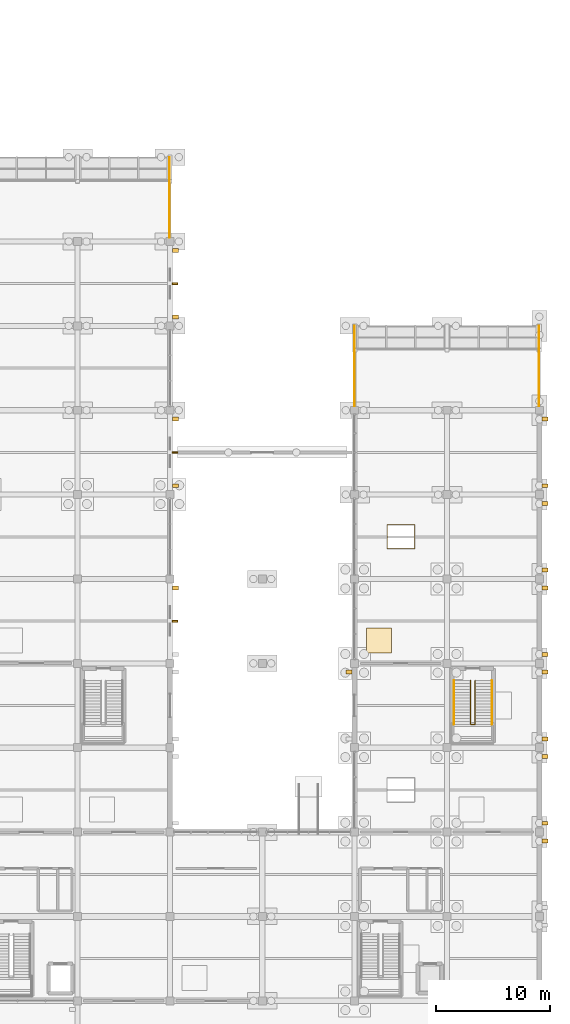
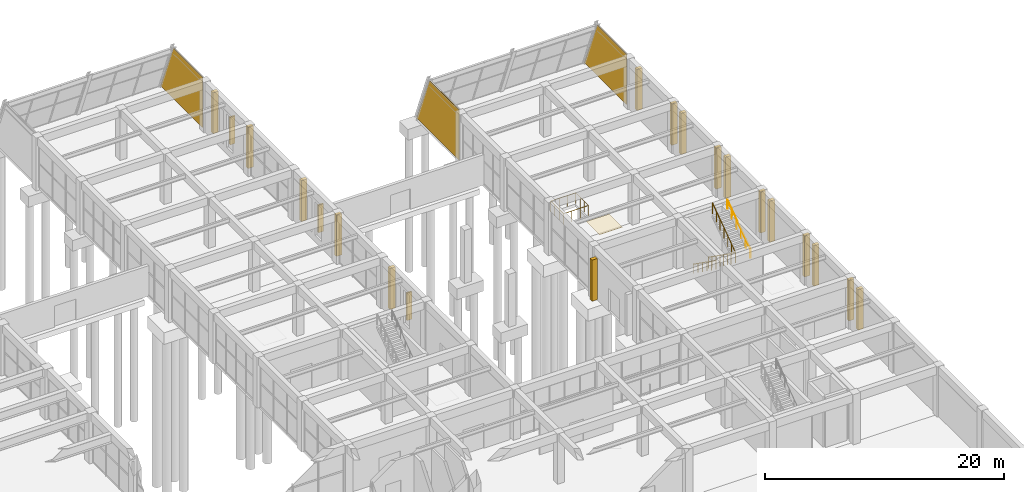
# One storey, part 139 of 140: 20 shading devices, 4 coverings, 4 railings.
"""IFC4 building model written with IfcOpenShell, lengths in metres."""

from ifc_helpers import new_model, si_unit, direction, frame, origin, origin_2d, place, context, subcontext, project, spatial, polyline, rectangle, circle, outline, extrude, material, layer, layer_set, type_object, element, save


model = new_model("IFC4")

# Units and contexts
model_context = context("Model", 3, precision=1e-05, world=origin(), true_north=direction((0.0, 1.0)))
body_context = subcontext(model_context, "Body", "Model", "MODEL_VIEW")
ifc_project = project(units=[si_unit("LENGTHUNIT", "METRE"), si_unit("AREAUNIT", "SQUARE_METRE"), si_unit("VOLUMEUNIT", "CUBIC_METRE"), si_unit("PLANEANGLEUNIT", "RADIAN"), si_unit("MASSUNIT", "GRAM", prefix="KILO")], contexts=[model_context])

# Site, building, storey
site_placement = place(None, origin())
site = spatial("IfcSite", under=ifc_project, at=site_placement, CompositionType="ELEMENT")
building_placement = place(site_placement, origin())
building = spatial("IfcBuilding", under=site, at=building_placement, Name="Cimatlan Art Gallery", CompositionType="ELEMENT")
storey_placement = place(building_placement, origin())
storey = spatial("IfcBuildingStorey", under=building, at=storey_placement, Name="L00", CompositionType="ELEMENT", Elevation=0.0)

# Coverings
ifc_material_1 = material(Name="Micro-perforated acoustic gypsum ceiling")
ifc_layer_1 = layer(ifc_material_1, 0.030029296875)
ifc_layer_set_1 = layer_set([ifc_layer_1], Name="Micro-perforated acoustic gypsum ceiling")
covering_type_1 = type_object("IfcCoveringType", Name="COV-CEIL-ACOUSTIC-30", PredefinedType="CEILING", material=ifc_layer_set_1)
covering_1_placement = place(storey_placement, frame((149.949951171875, 55.5, 5.10498046875), z_axis=(0.0, 0.0, 1.0), x_axis=(1.0, 0.0, 0.0)))
element("IfcCovering", 1, at=covering_1_placement, inside=storey, type_object=covering_type_1, Name="CLG-L00-STD-02", PredefinedType="CEILING", context=body_context, shape_type="SweptSolid", body=[
    extrude(rectangle(XDim=2.199951171875, YDim=2.199951171875, at=origin_2d()), origin(), (0.0, 0.0, 1.0), 0.030029296875),
])
ifc_material_2 = material(Name="Queretaro cantera limestone ashlar hood-mould", Category="masonry")
ifc_layer_2 = layer(ifc_material_2, 0.0419921875)
ifc_layer_set_2 = layer_set([ifc_layer_2], Name="Queretaro cantera limestone ashlar hood-mould")
covering_type_2 = type_object("IfcCoveringType", Name="COV-CLAD-CANTERA-42", PredefinedType="CLADDING", material=ifc_layer_set_2)
covering_2_placement = place(storey_placement, frame((131.60009765625, 90.85009765625, 0.0), z_axis=(1.0, 0.0, 0.0), x_axis=(0.0, 1.0, 0.0)))
element("IfcCovering", 2, at=covering_2_placement, inside=storey, type_object=covering_type_2, Name="CLD-PRW-L00-B4-E", PredefinedType="CLADDING", context=body_context, shape_type="SweptSolid", body=[
    extrude(outline(polyline([(0.0, 0.0), (7.0498046875, 0.0), (4.9228515625, 5.135009765625), (0.0, 5.135009765625), (0.0, 0.0)])), origin(), (0.0, 0.0, -1.0), 0.0419921875),
])
for number, where, z_axis, x_axis, name in (
    (3, (147.800048828125, 76.050048828125, 0.0), (1.0, 0.0, 0.0), (0.0, 1.0, 0.0), "CLD-PRW-L00-B5-W"),
    (4, (164.0, 76.050048828125, 0.0), (1.0, 0.0, 0.0), (0.0, 1.0, 0.0), "CLD-PRW-L00-B5-E"),
):
    element("IfcCovering", number, at=place(storey_placement, frame(where, z_axis=z_axis, x_axis=x_axis)), inside=storey, type_object=covering_type_2, Name=name, PredefinedType="CLADDING", context=body_context, shape_type="SweptSolid", body=[
        extrude(outline(polyline([(0.0, 0.0), (7.050048828125, 0.0), (4.9228515625, 5.135009765625), (0.0, 5.135009765625), (0.0, 0.0)])), origin(), (0.0, 0.0, -1.0), 0.0419921875),
    ])

# Railings
ifc_material_3 = material(Name="Painted steel and bronze interior balustrade", Category="steel")
railing_type_1 = type_object("IfcRailingType", Name="RL-BAL-INT-1120", PredefinedType="BALUSTRADE", material=ifc_material_3)
railing_1_placement = place(storey_placement, frame((157.969970703125, 51.97998046875, 0.0)))
element("IfcRailing", 5, at=railing_1_placement, inside=storey, type_object=railing_type_1, Name="STR-C10-L00-GRD", PredefinedType="BALUSTRADE", context=body_context, shape_type="SweptSolid", body=[
    extrude(circle(Radius=0.02392578125, at=origin_2d()), frame((0.0, 0.0, 1.09619140625), z_axis=(0.0, -0.816969308413, 0.5766811503), x_axis=(1.0, 0.0, 0.0)), (0.0, 0.0, 1.0), 4.681884765625),
    extrude(circle(Radius=0.02392578125, at=origin_2d()), frame((0.0, -3.824951171875, 3.7958984375), z_axis=(1.0, 0.0, 0.0), x_axis=(0.0, 1.0, 0.0)), (0.0, 0.0, 1.0), 0.400146484375),
    extrude(circle(Radius=0.02392578125, at=origin_2d()), frame((0.400146484375, -3.824951171875, 3.7958984375), z_axis=(0.0, 0.816969308413, 0.5766811503), x_axis=(-1.0, 0.0, 0.0)), (0.0, 0.0, 1.0), 4.681884765625),
    extrude(circle(Radius=0.02001953125, at=origin_2d()), origin(), (0.0, 0.0, 1.0), 1.072021484375),
    extrude(circle(Radius=0.02001953125, at=origin_2d()), frame((0.0, -0.637451171875, 0.449951171875)), (0.0, 0.0, 1.0), 1.072021484375),
    extrude(circle(Radius=0.02001953125, at=origin_2d()), frame((0.0, -1.27490234375, 0.89990234375)), (0.0, 0.0, 1.0), 1.072021484375),
    extrude(circle(Radius=0.02001953125, at=origin_2d()), frame((0.0, -1.91259765625, 1.35009765625)), (0.0, 0.0, 1.0), 1.072021484375),
    extrude(circle(Radius=0.02001953125, at=origin_2d()), frame((0.0, -2.550048828125, 1.800048828125)), (0.0, 0.0, 1.0), 1.072021484375),
    extrude(circle(Radius=0.02001953125, at=origin_2d()), frame((0.0, -3.1875, 2.25)), (0.0, 0.0, 1.0), 1.072021484375),
    extrude(circle(Radius=0.02001953125, at=origin_2d()), frame((0.0, -3.824951171875, 2.699951171875)), (0.0, 0.0, 1.0), 1.072021484375),
    extrude(circle(Radius=0.02001953125, at=origin_2d()), frame((0.400146484375, -3.824951171875, 2.699951171875)), (0.0, 0.0, 1.0), 1.072021484375),
    extrude(circle(Radius=0.02001953125, at=origin_2d()), frame((0.400146484375, -3.1875, 3.14990234375)), (0.0, 0.0, 1.0), 1.072021484375),
    extrude(circle(Radius=0.02001953125, at=origin_2d()), frame((0.400146484375, -2.550048828125, 3.599853515625)), (0.0, 0.0, 1.0), 1.072021484375),
    extrude(circle(Radius=0.02001953125, at=origin_2d()), frame((0.400146484375, -1.91259765625, 4.0498046875)), (0.0, 0.0, 1.0), 1.072021484375),
    extrude(circle(Radius=0.02001953125, at=origin_2d()), frame((0.400146484375, -1.27490234375, 4.5)), (0.0, 0.0, 1.0), 1.072021484375),
    extrude(circle(Radius=0.02001953125, at=origin_2d()), frame((0.400146484375, -0.637451171875, 4.949951171875)), (0.0, 0.0, 1.0), 1.072021484375),
    extrude(circle(Radius=0.02001953125, at=origin_2d()), frame((0.400146484375, 0.0, 5.39990234375)), (0.0, 0.0, 1.0), 1.072021484375),
])
railing_2_placement = place(storey_placement, frame((150.639892578125, 63.5400390625, 0.0)))
element("IfcRailing", 6, at=railing_2_placement, inside=storey, type_object=railing_type_1, Name="GR-OCU-L00-B5N", PredefinedType="BALUSTRADE", context=body_context, shape_type="SweptSolid", body=[
    extrude(circle(Radius=0.02392578125, at=origin_2d()), frame((0.0, 0.0, 1.09619140625), z_axis=(1.0, 0.0, 0.0), x_axis=(0.0, 1.0, 0.0)), (0.0, 0.0, 1.0), 2.420166015625),
    extrude(circle(Radius=0.02392578125, at=origin_2d()), frame((2.420166015625, 0.0, 1.09619140625), z_axis=(0.0, 1.0, 0.0), x_axis=(-1.0, 0.0, 0.0)), (0.0, 0.0, 1.0), 2.119873046875),
    extrude(circle(Radius=0.02392578125, at=origin_2d()), frame((2.420166015625, 2.119873046875, 1.09619140625), z_axis=(-1.0, 0.0, 0.0), x_axis=(0.0, -1.0, 0.0)), (0.0, 0.0, 1.0), 2.420166015625),
    extrude(circle(Radius=0.02392578125, at=origin_2d()), frame((0.0, 2.119873046875, 1.09619140625), z_axis=(0.0, -1.0, 0.0), x_axis=(1.0, 0.0, 0.0)), (0.0, 0.0, 1.0), 2.079833984375),
    extrude(circle(Radius=0.02001953125, at=origin_2d()), origin(), (0.0, 0.0, 1.0), 1.072021484375),
    extrude(circle(Radius=0.02001953125, at=origin_2d()), frame((0.806640625, 0.0, 0.0)), (0.0, 0.0, 1.0), 1.072021484375),
    extrude(circle(Radius=0.02001953125, at=origin_2d()), frame((1.613525390625, 0.0, 0.0)), (0.0, 0.0, 1.0), 1.072021484375),
    extrude(circle(Radius=0.02001953125, at=origin_2d()), frame((2.420166015625, 0.0, 0.0)), (0.0, 0.0, 1.0), 1.072021484375),
    extrude(circle(Radius=0.02001953125, at=origin_2d()), frame((2.420166015625, 0.70654296875, 0.0)), (0.0, 0.0, 1.0), 1.072021484375),
    extrude(circle(Radius=0.02001953125, at=origin_2d()), frame((2.420166015625, 1.413330078125, 0.0)), (0.0, 0.0, 1.0), 1.072021484375),
    extrude(circle(Radius=0.02001953125, at=origin_2d()), frame((2.420166015625, 2.119873046875, 0.0)), (0.0, 0.0, 1.0), 1.072021484375),
    extrude(circle(Radius=0.02001953125, at=origin_2d()), frame((1.613525390625, 2.119873046875, 0.0)), (0.0, 0.0, 1.0), 1.072021484375),
    extrude(circle(Radius=0.02001953125, at=origin_2d()), frame((0.806640625, 2.119873046875, 0.0)), (0.0, 0.0, 1.0), 1.072021484375),
    extrude(circle(Radius=0.02001953125, at=origin_2d()), frame((0.0, 2.119873046875, 0.0)), (0.0, 0.0, 1.0), 1.072021484375),
    extrude(circle(Radius=0.02001953125, at=origin_2d()), frame((0.0, 1.426513671875, 0.0)), (0.0, 0.0, 1.0), 1.072021484375),
    extrude(circle(Radius=0.02001953125, at=origin_2d()), frame((0.0, 0.7333984375, 0.0)), (0.0, 0.0, 1.0), 1.072021484375),
    extrude(circle(Radius=0.02001953125, at=origin_2d()), frame((0.0, 0.0400390625, 0.0)), (0.0, 0.0, 1.0), 1.072021484375),
])
ifc_material_4 = material(Name="Brushed bronze stair handrail")
railing_type_2 = type_object("IfcRailingType", Name="RL-HND-INT-920", PredefinedType="HANDRAIL", material=ifc_material_4)
railing_3_placement = place(storey_placement, frame((156.510009765625, 51.97998046875, 0.0)))
element("IfcRailing", 7, at=railing_3_placement, inside=storey, type_object=railing_type_2, Name="STR-C10-L00-HR1", PredefinedType="HANDRAIL", context=body_context, shape_type="SweptSolid", body=[
    extrude(circle(Radius=0.02197265625, at=origin_2d()), frame((0.0, 0.0, 0.89794921875), z_axis=(0.0, -0.816969308413, 0.5766811503), x_axis=(1.0, 0.0, 0.0)), (0.0, 0.0, 1.0), 4.681884765625),
    extrude(circle(Radius=0.01904296875, at=origin_2d()), origin(), (0.0, 0.0, 1.0), 0.8759765625),
    extrude(circle(Radius=0.01904296875, at=origin_2d()), frame((0.0, -0.764892578125, 0.5400390625)), (0.0, 0.0, 1.0), 0.8759765625),
    extrude(circle(Radius=0.01904296875, at=origin_2d()), frame((0.0, -1.530029296875, 1.080078125)), (0.0, 0.0, 1.0), 0.8759765625),
    extrude(circle(Radius=0.01904296875, at=origin_2d()), frame((0.0, -2.294921875, 1.619873046875)), (0.0, 0.0, 1.0), 0.8759765625),
    extrude(circle(Radius=0.01904296875, at=origin_2d()), frame((0.0, -3.06005859375, 2.159912109375)), (0.0, 0.0, 1.0), 0.8759765625),
    extrude(circle(Radius=0.01904296875, at=origin_2d()), frame((0.0, -3.824951171875, 2.699951171875)), (0.0, 0.0, 1.0), 0.8759765625),
])
railing_4_placement = place(storey_placement, frame((159.830078125, 48.155029296875, 2.699951171875)))
element("IfcRailing", 8, at=railing_4_placement, inside=storey, type_object=railing_type_2, Name="STR-C10-L00-HR2", PredefinedType="HANDRAIL", context=body_context, shape_type="SweptSolid", body=[
    extrude(circle(Radius=0.02197265625, at=origin_2d()), frame((0.0, 0.0, 0.89794921875), z_axis=(0.0, 0.816969308413, 0.5766811503), x_axis=(-1.0, 0.0, 0.0)), (0.0, 0.0, 1.0), 4.681884765625),
    extrude(circle(Radius=0.01904296875, at=origin_2d()), origin(), (0.0, 0.0, 1.0), 0.8759765625),
    extrude(circle(Radius=0.01904296875, at=origin_2d()), frame((0.0, 0.764892578125, 0.5400390625)), (0.0, 0.0, 1.0), 0.8759765625),
    extrude(circle(Radius=0.01904296875, at=origin_2d()), frame((0.0, 1.530029296875, 1.080078125)), (0.0, 0.0, 1.0), 0.8759765625),
    extrude(circle(Radius=0.01904296875, at=origin_2d()), frame((0.0, 2.294921875, 1.619873046875)), (0.0, 0.0, 1.0), 0.8759765625),
    extrude(circle(Radius=0.01904296875, at=origin_2d()), frame((0.0, 3.06005859375, 2.159912109375)), (0.0, 0.0, 1.0), 0.8759765625),
    extrude(circle(Radius=0.01904296875, at=origin_2d()), frame((0.0, 3.824951171875, 2.699951171875)), (0.0, 0.0, 1.0), 0.8759765625),
])

# Shading devices
ifc_material_5 = material(Name="Queretaro cantera limestone buttress pilaster", Category="masonry")
shading_device_type_1 = type_object("IfcShadingDeviceType", Name="SHD-BUT-520", PredefinedType="USERDEFINED", material=ifc_material_5)
for number, where, z_axis, x_axis, name in (
    (9, (132.077880859375, 60.1259765625, 0.06005859375), (0.0, 0.0, 1.0), (0.0, -1.0, 0.0), "BUT-0085"),
    (10, (132.077880859375, 74.926025390625, 0.06005859375), (0.0, 0.0, 1.0), (0.0, -1.0, 0.0), "BUT-0087"),
    (11, (132.077880859375, 69.073974609375, 0.06005859375), (0.0, 0.0, 1.0), (0.0, -1.0, 0.0), "BUT-0088"),
    (12, (132.077880859375, 89.72607421875, 0.06005859375), (0.0, 0.0, 1.0), (0.0, -1.0, 0.0), "BUT-0089"),
    (13, (132.077880859375, 83.8740234375, 0.06005859375), (0.0, 0.0, 1.0), (0.0, -1.0, 0.0), "BUT-0090"),
    (14, (147.322021484375, 52.72607421875, 0.06005859375), (0.0, 0.0, 1.0), (0.0, 1.0, 0.0), "BUT-0098"),
):
    element("IfcShadingDevice", number, at=place(storey_placement, frame(where, z_axis=z_axis, x_axis=x_axis)), inside=storey, type_object=shading_device_type_1, Name=name, ObjectType="FIN", PredefinedType="USERDEFINED", context=body_context, shape_type="SweptSolid", body=[
        extrude(rectangle(XDim=0.340087890625, YDim=0.52001953125, at=origin_2d()), origin(), (0.0, 0.0, 1.0), 4.199951171875),
    ])
for number, where, z_axis, x_axis, name in (
    (15, (164.47802734375, 37.926025390625, 0.06005859375), (0.0, 0.0, 1.0), (0.0, -1.0, 0.0), "BUT-0109"),
    (16, (164.47802734375, 45.325927734375, 0.06005859375), (0.0, 0.0, 1.0), (0.0, -1.0, 0.0), "BUT-0111"),
    (17, (164.47802734375, 39.47412109375, 0.06005859375), (0.0, 0.0, 1.0), (0.0, -1.0, 0.0), "BUT-0112"),
):
    element("IfcShadingDevice", number, at=place(storey_placement, frame(where, z_axis=z_axis, x_axis=x_axis)), inside=storey, type_object=shading_device_type_1, Name=name, ObjectType="FIN", PredefinedType="USERDEFINED", context=body_context, shape_type="SweptSolid", body=[
        extrude(rectangle(XDim=0.340087890625, YDim=0.52001953125, at=origin_2d()), origin(), (0.0, 0.0, 1.0), 4.14990234375),
    ])
for number, where, z_axis, x_axis, name in (
    (18, (164.47802734375, 52.72607421875, 0.06005859375), (0.0, 0.0, 1.0), (0.0, -1.0, 0.0), "BUT-0113"),
    (19, (164.47802734375, 46.8740234375, 0.06005859375), (0.0, 0.0, 1.0), (0.0, -1.0, 0.0), "BUT-0114"),
    (20, (164.47802734375, 60.1259765625, 0.06005859375), (0.0, 0.0, 1.0), (0.0, -1.0, 0.0), "BUT-0115"),
    (21, (164.47802734375, 54.27392578125, 0.06005859375), (0.0, 0.0, 1.0), (0.0, -1.0, 0.0), "BUT-0116"),
    (22, (164.47802734375, 67.52587890625, 0.06005859375), (0.0, 0.0, 1.0), (0.0, -1.0, 0.0), "BUT-0117"),
    (23, (164.47802734375, 61.674072265625, 0.06005859375), (0.0, 0.0, 1.0), (0.0, -1.0, 0.0), "BUT-0118"),
    (24, (164.47802734375, 74.926025390625, 0.06005859375), (0.0, 0.0, 1.0), (0.0, -1.0, 0.0), "BUT-0119"),
    (25, (164.47802734375, 69.073974609375, 0.06005859375), (0.0, 0.0, 1.0), (0.0, -1.0, 0.0), "BUT-0120"),
):
    element("IfcShadingDevice", number, at=place(storey_placement, frame(where, z_axis=z_axis, x_axis=x_axis)), inside=storey, type_object=shading_device_type_1, Name=name, ObjectType="FIN", PredefinedType="USERDEFINED", context=body_context, shape_type="SweptSolid", body=[
        extrude(rectangle(XDim=0.340087890625, YDim=0.52001953125, at=origin_2d()), origin(), (0.0, 0.0, 1.0), 4.199951171875),
    ])
ifc_material_6 = material(Name="Queretaro cantera limestone lancet mullion fin", Category="masonry")
shading_device_type_2 = type_object("IfcShadingDeviceType", Name="SHD-FIN-480", PredefinedType="USERDEFINED", material=ifc_material_6)
for number, where, z_axis, x_axis, name in (
    (26, (132.05810546875, 57.199951171875, 0.64990234375), (0.0, 0.0, 1.0), (0.0, -1.0, 0.0), "FIN-021"),
    (27, (132.05810546875, 72.0, 0.64990234375), (0.0, 0.0, 1.0), (0.0, -1.0, 0.0), "FIN-022"),
    (28, (132.05810546875, 86.800048828125, 0.64990234375), (0.0, 0.0, 1.0), (0.0, -1.0, 0.0), "FIN-023"),
):
    element("IfcShadingDevice", number, at=place(storey_placement, frame(where, z_axis=z_axis, x_axis=x_axis)), inside=storey, type_object=shading_device_type_2, Name=name, ObjectType="FIN", PredefinedType="USERDEFINED", context=body_context, shape_type="SweptSolid", body=[
        extrude(rectangle(XDim=0.159912109375, YDim=0.47998046875, at=origin_2d()), origin(), (0.0, 0.0, 1.0), 2.800048828125),
    ])

save(model, "model.ifc")
